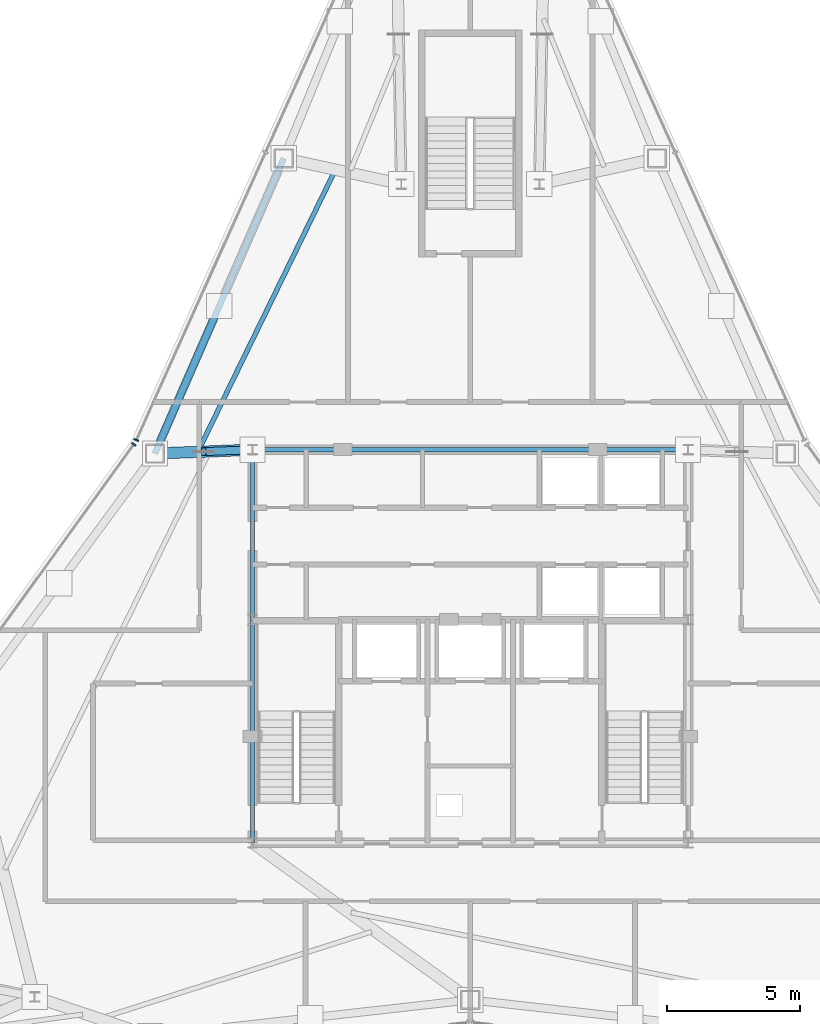
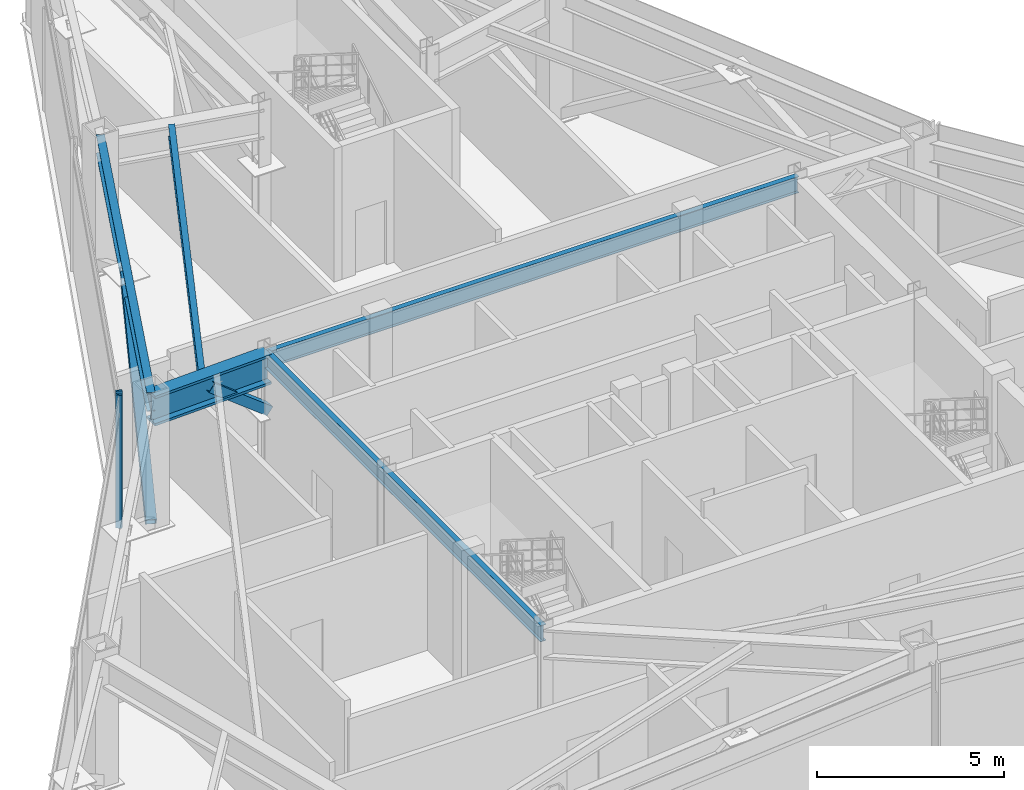
# One storey, part 5 of 12: 5 beams, 4 members, 2 elements without a shape of their own.
"""IFC4 building model written with IfcOpenShell, lengths in metres."""

import ifcopenshell
import ifcopenshell.guid

model = None  # the IFC model being written
_history = None  # IfcOwnerHistory: only IFC2X3 demands one
_inside = {}  # id of a spatial element -> (the spatial element, [elements in it])
_under = {}  # id of a project, library or spatial element -> (it, [spatial elements below it])
_declared = {}  # id of a project -> (the project, [libraries it declares])
_typed = {}  # id of a type object -> (the type object, [elements of that type])
_made_of = {}  # id of a material, layer set ... -> (it, [elements and type objects made of it])


def new_model(schema):
    """Start an empty IFC model of exactly this schema.

    Asked for "IFC4X3", IfcOpenShell would pick the latest addendum, in which some entities
    have other attributes; the version numbers below select the first issue.
    IFC2X3 requires an IfcOwnerHistory on every rooted entity: one is made here for all.
    """
    global model, _history
    if schema == "IFC4X3":
        model = ifcopenshell.file(schema_version=(4, 3, 0, 0))
    else:
        model = ifcopenshell.file(schema=schema)
    _inside.clear()
    _under.clear()
    _declared.clear()
    _typed.clear()
    _made_of.clear()
    _history = None
    if model.schema == "IFC2X3":
        org = make("IfcOrganization", Name="unknown")
        user = make(
            "IfcPersonAndOrganization",
            ThePerson=make("IfcPerson", FamilyName="unknown"),
            TheOrganization=org,
        )
        app = make(
            "IfcApplication",
            ApplicationDeveloper=org,
            Version="unknown",
            ApplicationFullName="unknown",
            ApplicationIdentifier="unknown",
        )
        _history = make(
            "IfcOwnerHistory",
            OwningUser=user,
            OwningApplication=app,
            ChangeAction="ADDED",
            CreationDate=0,
        )
    return model


def make(cls, **values):
    """One entity of the class cls with the attributes given. An attribute that is None is left unset."""
    return model.create_entity(
        cls, **{name: value for name, value in values.items() if value is not None}
    )


def rooted(cls, **values):
    """An entity with a GlobalId (a new one), such as an element, a storey or a relation."""
    return make(cls, GlobalId=ifcopenshell.guid.new(), OwnerHistory=_history, **values)


def si_unit(unit_type, name, prefix=None):
    """IfcSIUnit, for example si_unit("LENGTHUNIT", "METRE", prefix="MILLI")."""
    return make("IfcSIUnit", UnitType=unit_type, Prefix=prefix, Name=name)


def assignment(units):
    """IfcUnitAssignment: the units of a project."""
    return None if units is None else make("IfcUnitAssignment", Units=units)


def point(xyz):
    """IfcCartesianPoint."""
    return None if xyz is None else make("IfcCartesianPoint", Coordinates=xyz)


def direction(xyz):
    """IfcDirection."""
    return None if xyz is None else make("IfcDirection", DirectionRatios=xyz)


def frame(location, z_axis=None, x_axis=None):
    """IfcAxis2Placement3D, a coordinate frame: its origin and axes. An axis left out is left unset."""
    return make(
        "IfcAxis2Placement3D",
        Location=point(location),
        Axis=direction(z_axis),
        RefDirection=direction(x_axis),
    )


def frame_2d(location, x_axis=None):
    """IfcAxis2Placement2D, a coordinate frame in the plane: its origin and x axis."""
    return make(
        "IfcAxis2Placement2D", Location=point(location), RefDirection=direction(x_axis)
    )


def origin():
    """The frame at (0, 0, 0) with its axes left unset."""
    return frame((0.0, 0.0, 0.0))


def origin_2d():
    """The frame at (0, 0) in the plane with its x axis left unset."""
    return frame_2d((0.0, 0.0))


def place(relative_to, where):
    """IfcLocalPlacement: puts the frame where relative to a parent placement (None: the world)."""
    return make(
        "IfcLocalPlacement", PlacementRelTo=relative_to, RelativePlacement=where
    )


def context(
    kind, dimensions, precision=None, world=None, true_north=None, identifier=None
):
    """IfcGeometricRepresentationContext, for example the 3D "Model" context."""
    return make(
        "IfcGeometricRepresentationContext",
        ContextIdentifier=identifier,
        ContextType=kind,
        CoordinateSpaceDimension=dimensions,
        Precision=precision,
        WorldCoordinateSystem=world,
        TrueNorth=true_north,
    )


def subcontext(parent, identifier, kind, view, scale=None):
    """IfcGeometricRepresentationSubContext, for example "Body" below "Model"."""
    return make(
        "IfcGeometricRepresentationSubContext",
        ContextIdentifier=identifier,
        ContextType=kind,
        ParentContext=parent,
        TargetScale=scale,
        TargetView=view,
    )


def project(units=None, contexts=None):
    """IfcProject with its units and contexts."""
    return rooted(
        "IfcProject",
        Name="project",
        RepresentationContexts=contexts,
        UnitsInContext=assignment(units),
    )


def spatial(cls, under=None, at=None, **own):
    """A site, building, storey or space (cls), placed at a placement, below another one or the project."""
    s = rooted(cls, ObjectPlacement=at, **own)
    if under is not None:
        _under.setdefault(under.id(), (under, []))[1].append(s)
    return s


def profile(cls, at=None, kind="AREA", **sizes):
    """A parametric profile (cls). Its sizes go by their IFC names, for example OverallWidth=200.0."""
    return make(cls, ProfileType=kind, Position=at, **sizes)


def rectangle(**sizes):
    """IfcRectangleProfileDef."""
    return profile("IfcRectangleProfileDef", **sizes)


def hollow_rectangle(**sizes):
    """IfcRectangleHollowProfileDef."""
    return profile("IfcRectangleHollowProfileDef", **sizes)


def i_section(**sizes):
    """IfcIShapeProfileDef."""
    return profile("IfcIShapeProfileDef", **sizes)


def extrude(swept, where, along, depth):
    """IfcExtrudedAreaSolid: the profile swept, set in the frame where, extruded along a direction by depth."""
    return make(
        "IfcExtrudedAreaSolid",
        SweptArea=swept,
        Position=where,
        ExtrudedDirection=direction(along),
        Depth=depth,
    )


def shape(context_of_items, identifier, shape_type, items):
    """IfcShapeRepresentation: the items that make up one representation, for example the "Body"."""
    return make(
        "IfcShapeRepresentation",
        ContextOfItems=context_of_items,
        RepresentationIdentifier=identifier,
        RepresentationType=shape_type,
        Items=items,
    )


def source(mapping_origin, context_of_items, identifier, shape_type, items):
    """IfcRepresentationMap: a shape defined once, which mapped items show again and again."""
    return make(
        "IfcRepresentationMap",
        MappingOrigin=mapping_origin,
        MappedRepresentation=shape(context_of_items, identifier, shape_type, items),
    )


def transform(
    local_origin,
    x_axis=None,
    y_axis=None,
    z_axis=None,
    scale=None,
    scale2=None,
    scale3=None,
    uniform=True,
):
    """IfcCartesianTransformationOperator3D, or its non-uniform kind. x_axis, y_axis, z_axis: its Axis1, 2, 3."""
    if uniform:
        return make(
            "IfcCartesianTransformationOperator3D",
            Axis1=direction(x_axis),
            Axis2=direction(y_axis),
            LocalOrigin=point(local_origin),
            Scale=scale,
            Axis3=direction(z_axis),
        )
    return make(
        "IfcCartesianTransformationOperator3DnonUniform",
        Axis1=direction(x_axis),
        Axis2=direction(y_axis),
        LocalOrigin=point(local_origin),
        Scale=scale,
        Axis3=direction(z_axis),
        Scale2=scale2,
        Scale3=scale3,
    )


def mapped(mapping_source, mapping_target):
    """IfcMappedItem: shows the shape of a source again, moved by a transform."""
    return make(
        "IfcMappedItem", MappingSource=mapping_source, MappingTarget=mapping_target
    )


def material(Name=None, Category=None):
    """IfcMaterial."""
    return make("IfcMaterial", Name=Name, Category=Category)


def layer(
    of_material, thickness, ventilated=None, Name=None, Category=None, Priority=None
):
    """IfcMaterialLayer: one layer of a wall or slab, of a material (None: an air gap)."""
    return make(
        "IfcMaterialLayer",
        Material=of_material,
        LayerThickness=thickness,
        IsVentilated=ventilated,
        Name=Name,
        Category=Category,
        Priority=Priority,
    )


def layer_set(layers, Name=None):
    """IfcMaterialLayerSet."""
    return make("IfcMaterialLayerSet", MaterialLayers=layers, LayerSetName=Name)


def material_profile(
    of_material, cross_section, Name=None, Category=None, Priority=None
):
    """IfcMaterialProfile: a cross section and its material."""
    return make(
        "IfcMaterialProfile",
        Name=Name,
        Material=of_material,
        Profile=cross_section,
        Priority=Priority,
        Category=Category,
    )


def profile_set(profiles, Name=None, composite=None):
    """IfcMaterialProfileSet."""
    return make(
        "IfcMaterialProfileSet",
        Name=Name,
        MaterialProfiles=profiles,
        CompositeProfile=composite,
    )


def made_of(thing, what):
    """Note that an element or type object is made of a material, layer set ...; save() writes the relation."""
    if what is not None:
        _made_of.setdefault(what.id(), (what, []))[1].append(thing)
    return thing


def type_object(cls, material=None, **own):
    """A type object (cls), such as IfcWallType, which elements share."""
    return made_of(rooted(cls, **own), material)


def type_shapes(of_type, sources):
    """Give a type object the sources (RepresentationMaps) that its elements show as mapped items."""
    of_type.RepresentationMaps = sources


def element(
    cls,
    number,
    at=None,
    inside=None,
    cuts=None,
    type_object=None,
    material=None,
    context=None,
    identifier="Body",
    shape_type=None,
    held_by="IfcProductDefinitionShape",
    body=None,
    shapes=None,
    **own,
):
    """One element of the class cls, such as IfcWall. Its Tag is "e" and its number.

    at: its placement. inside: the storey or other place that contains it. cuts: it is an
    opening in that element (IfcRelVoidsElement). A single representation is given by context,
    identifier, shape_type and body (its items); several are given by shapes. held_by: the class
    of the entity that holds the representations. save() writes the other relations.
    """
    e = rooted(cls, Tag="e%d" % number, ObjectPlacement=at, **own)
    if body is not None:
        shapes = [shape(context, identifier, shape_type, body)]
    if shapes is not None:
        e.Representation = make(held_by, Representations=shapes)
    if inside is not None:
        _inside.setdefault(inside.id(), (inside, []))[1].append(e)
    if cuts is not None:
        rooted(
            "IfcRelVoidsElement", RelatingBuildingElement=cuts, RelatedOpeningElement=e
        )
    if type_object is not None:
        _typed.setdefault(type_object.id(), (type_object, []))[1].append(e)
    return made_of(e, material)


def aggregate(whole, parts):
    """IfcRelAggregates: a whole, such as a stair, and the parts it consists of."""
    return rooted("IfcRelAggregates", RelatingObject=whole, RelatedObjects=parts)


def save(model, path):
    """Write the relations noted so far, then the file.

    IfcRelAggregates (storeys below a building ...), IfcRelContainedInSpatialStructure (elements
    in a storey), IfcRelDefinesByType, IfcRelAssociatesMaterial and IfcRelDeclares: one each for
    every whole, place, type object, material and project.
    """
    for whole, parts in _under.values():
        aggregate(whole, parts)
    for where, things in _inside.values():
        rooted(
            "IfcRelContainedInSpatialStructure",
            RelatedElements=things,
            RelatingStructure=where,
        )
    for kind, things in _typed.values():
        rooted("IfcRelDefinesByType", RelatedObjects=things, RelatingType=kind)
    for what, things in _made_of.values():
        rooted("IfcRelAssociatesMaterial", RelatedObjects=things, RelatingMaterial=what)
    for by, libraries in _declared.values():
        rooted("IfcRelDeclares", RelatingContext=by, RelatedDefinitions=libraries)
    model.write(path)


model = new_model("IFC4")

# Units and contexts
model_context = context("Model", 3, precision=1e-05, world=origin(), true_north=direction((0.0, 1.0)))
body_context = subcontext(model_context, "Body", "Model", "MODEL_VIEW")
ifc_project = project(units=[si_unit("LENGTHUNIT", "METRE"), si_unit("AREAUNIT", "SQUARE_METRE"), si_unit("VOLUMEUNIT", "CUBIC_METRE"), si_unit("PLANEANGLEUNIT", "RADIAN"), si_unit("MASSUNIT", "GRAM", prefix="KILO")], contexts=[model_context])

# Site, building, storey
site_placement = place(None, origin())
site = spatial("IfcSite", under=ifc_project, at=site_placement, CompositionType="ELEMENT")
building_placement = place(site_placement, origin())
building = spatial("IfcBuilding", under=site, at=building_placement, Name="Varakhsha Concourse Tower", CompositionType="ELEMENT")
storey_placement = place(building_placement, frame((0.0, 0.0, 250.39990234375)))
storey = spatial("IfcBuildingStorey", under=building, at=storey_placement, Name="L71", CompositionType="ELEMENT", Elevation=250.39990234375)

# Beams
ifc_material_1 = material(Name="Structural Steel ASTM A992 Grade 50", Category="steel")
ifc_material_profile_1 = material_profile(ifc_material_1, i_section(OverallWidth=0.177978515625, OverallDepth=0.406982421875, WebThickness=0.008056640625, FlangeThickness=0.012939453125, at=origin_2d()), Name="W16X40")
ifc_profile_set_1 = profile_set([ifc_material_profile_1], Name="Structural Steel ASTM A992 Grade 50")
beam_type_1 = type_object("IfcBeamType", Name="BM-JST-W16X40", PredefinedType="JOIST", material=ifc_profile_set_1)
beam_1_placement = place(storey_placement, frame((34.875, 41.643798828125, 4.146484375), z_axis=(-0.438334888597, -0.898811729696, 0.0), x_axis=(0.898811729696, -0.438334888597, 0.0)))
element("IfcBeam", 1, at=beam_1_placement, inside=storey, type_object=beam_type_1, Name="BM-TJST-L71-04", PredefinedType="JOIST", context=body_context, shape_type="SweptSolid", body=[
    extrude(i_section(OverallWidth=0.177978515625, OverallDepth=0.406982421875, WebThickness=0.008056640625, FlangeThickness=0.012939453125, at=origin_2d()), origin(), (0.0, 0.0, 1.0), 11.599609375),
])
ifc_material_profile_2 = material_profile(ifc_material_1, i_section(OverallWidth=0.1669921875, OverallDepth=0.534912109375, WebThickness=0.010009765625, FlangeThickness=0.01708984375, at=origin_2d()), Name="W21X57")
ifc_profile_set_2 = profile_set([ifc_material_profile_2], Name="Structural Steel ASTM A992 Grade 50")
beam_type_2 = type_object("IfcBeamType", Name="BM-RAD-W21X57", PredefinedType="BEAM", material=ifc_profile_set_2)
beam_2_placement = place(storey_placement, frame((31.800048828125, 31.199951171875, 4.08251953125), z_axis=(1.0, 0.0, 0.0), x_axis=(0.0, 1.0, 0.0)))
element("IfcBeam", 2, at=beam_2_placement, inside=storey, type_object=beam_type_2, Name="BM-TCORE-L71-CN", PredefinedType="BEAM", context=body_context, shape_type="SweptSolid", body=[
    extrude(i_section(OverallWidth=0.1669921875, OverallDepth=0.534912109375, WebThickness=0.010009765625, FlangeThickness=0.01708984375, at=origin_2d()), origin(), (0.0, 0.0, 1.0), 16.39990234375),
])
beam_3_placement = place(storey_placement, frame((31.800048828125, 16.39990234375, 4.08251953125), z_axis=(0.0, 1.0, 0.0), x_axis=(-1.0, 0.0, 0.0)))
element("IfcBeam", 3, at=beam_3_placement, inside=storey, type_object=beam_type_2, Name="BM-TCORE-L71-CW", PredefinedType="BEAM", context=body_context, shape_type="SweptSolid", body=[
    extrude(i_section(OverallWidth=0.1669921875, OverallDepth=0.534912109375, WebThickness=0.010009765625, FlangeThickness=0.01708984375, at=origin_2d()), origin(), (0.0, 0.0, 1.0), 14.800048828125),
])
ifc_material_profile_3 = material_profile(ifc_material_1, i_section(OverallWidth=0.22900390625, OverallDepth=0.612060546875, WebThickness=0.011962890625, FlangeThickness=0.02001953125, at=origin_2d()), Name="W24X84")
ifc_profile_set_3 = profile_set([ifc_material_profile_3], Name="Structural Steel ASTM A992 Grade 50")
beam_type_3 = type_object("IfcBeamType", Name="BM-SPAN-W24X84", PredefinedType="SPANDREL", material=ifc_profile_set_3)
beam_4_placement = place(storey_placement, frame((32.977294921875, 42.168701171875, 4.044189453125), z_axis=(-0.400099437724, -0.916471734388, 0.0), x_axis=(0.916471734388, -0.400099437724, 0.0)))
element("IfcBeam", 4, at=beam_4_placement, inside=storey, type_object=beam_type_3, Name="BM-SPAN-L71-04", PredefinedType="SPANDREL", context=body_context, shape_type="SweptSolid", body=[
    extrude(i_section(OverallWidth=0.22900390625, OverallDepth=0.612060546875, WebThickness=0.011962890625, FlangeThickness=0.02001953125, at=origin_2d()), origin(), (0.0, 0.0, 1.0), 12.1259765625),
])
ifc_material_profile_4 = material_profile(ifc_material_1, i_section(OverallWidth=0.427978515625, OverallDepth=0.97509765625, WebThickness=0.050048828125, FlangeThickness=0.0810546875, at=origin_2d()), Name="W36X395")
ifc_profile_set_4 = profile_set([ifc_material_profile_4], Name="Structural Steel ASTM A992 Grade 50")
beam_type_4 = type_object("IfcBeamType", Name="BM-XFER-W36X395", PredefinedType="USERDEFINED", material=ifc_profile_set_4)
beam_5_placement = place(storey_placement, frame((31.800048828125, 31.199951171875, 3.862548828125), z_axis=(-0.999229859365, -0.039238860258, 0.0), x_axis=(0.039238860258, -0.999229859365, 0.0)))
element("IfcBeam", 5, at=beam_5_placement, inside=storey, type_object=beam_type_4, Name="L71 Outrigger Top Chord 05", ObjectType="GIRDER", PredefinedType="USERDEFINED", context=body_context, shape_type="SweptSolid", body=[
    extrude(i_section(OverallWidth=0.427978515625, OverallDepth=0.97509765625, WebThickness=0.050048828125, FlangeThickness=0.0810546875, at=origin_2d()), origin(), (0.0, 0.0, 1.0), 3.67724609375),
])

# Members
ifc_material_2 = material(Name="Structural Steel ASTM A500 Grade C", Category="steel")
ifc_material_profile_5 = material_profile(ifc_material_2, hollow_rectangle(XDim=0.300048828125, YDim=0.300048828125, WallThickness=0.013916015625, at=origin_2d()), Name="HSS 300x300x14")
ifc_profile_set_5 = profile_set([ifc_material_profile_5], Name="Structural Steel ASTM A500 Grade C")
member_type_1 = type_object("IfcMemberType", Name="MB-BELT-HSS300", PredefinedType="BRACE", material=ifc_profile_set_5)
shared_shape_1 = source(origin(), body_context, "Body", "SweptSolid", [
    extrude(hollow_rectangle(XDim=0.300048828125, YDim=0.300048828125, WallThickness=0.013916015625, at=origin_2d()), origin(), (0.0, 0.0, 1.0), 7.225341796875),
])
type_shapes(member_type_1, [shared_shape_1])
member_1_placement = place(storey_placement, frame((28.125732421875, 31.0556640625, 0.1201171875), z_axis=(0.335734096828, 0.76905274193, 0.543912213833), x_axis=(-0.916474957314, 0.400092055179, 0.0)))
element("IfcMember", 6, at=member_1_placement, inside=storey, type_object=member_type_1, Name="L71 Belt Truss Chevron 04B", PredefinedType="BRACE", context=body_context, shape_type="MappedRepresentation", body=[
    mapped(shared_shape_1, transform((0.0, 0.0, 0.0), scale=1.0)),
])
ifc_material_profile_6 = material_profile(ifc_material_2, hollow_rectangle(XDim=0.300048828125, YDim=0.300048828125, WallThickness=0.013916015625, at=origin_2d()), Name="HSS 300x300x14")
ifc_profile_set_6 = profile_set([ifc_material_profile_6], Name="Structural Steel ASTM A500 Grade C")
member_type_2 = type_object("IfcMemberType", Name="MB-OUTR-HSS300", PredefinedType="STRUT", material=ifc_profile_set_6)
shared_shape_2 = source(origin(), body_context, "Body", "SweptSolid", [
    extrude(hollow_rectangle(XDim=0.300048828125, YDim=0.300048828125, WallThickness=0.013916015625, at=origin_2d()), origin(), (0.0, 0.0, 1.0), 2.341552734375),
])
type_shapes(member_type_2, [shared_shape_2])
member_2_placement = place(storey_placement, frame((31.800048828125, 31.199951171875, 2.4501953125), z_axis=(-0.784599609472, -0.030862655735, 0.619234163542), x_axis=(0.039305151783, -0.999227253953, 0.0)))
element("IfcMember", 7, at=member_2_placement, inside=storey, type_object=member_type_2, Name="L71 Outrigger Truss Strut 03", PredefinedType="STRUT", context=body_context, shape_type="MappedRepresentation", body=[
    mapped(shared_shape_2, transform((0.0, 0.0, 0.0), scale=1.0)),
])

# Curtain wall, member
ifc_material_3 = material(Name="Anodised Bronze Architectural Aluminium AA 6063-T6", Category="aluminium")
ifc_layer = layer(ifc_material_3, 0.260009765625, Name="CW-SYS-06")
ifc_layer_set = layer_set([ifc_layer], Name="Anodised Bronze Architectural Aluminium AA 6063-T6")
curtain_wall_type = type_object("IfcCurtainWallType", Name="CW-SYS-06", PredefinedType="NOTDEFINED", material=ifc_layer_set)
curtain_wall_1_placement = place(storey_placement, origin())
curtain_wall_1 = element("IfcCurtainWall", 8, at=curtain_wall_1_placement, inside=storey, type_object=curtain_wall_type, Name="L71 Crystal Curtain Wall F2", PredefinedType="NOTDEFINED")
ifc_material_profile_7 = material_profile(ifc_material_3, rectangle(XDim=0.06494140625, YDim=0.179931640625, at=origin_2d()), Name="CWM-180X65")
ifc_profile_set_7 = profile_set([ifc_material_profile_7], Name="Anodised Bronze Architectural Aluminium AA 6063-T6")
member_type_3 = type_object("IfcMemberType", Name="CWM-180X65", PredefinedType="MULLION", material=ifc_profile_set_7)
shared_shape_3 = source(origin(), body_context, "Body", "SweptSolid", [
    extrude(rectangle(XDim=0.06494140625, YDim=0.179931640625, at=origin_2d()), origin(), (0.0, 0.0, 1.0), 4.35009765625),
])
type_shapes(member_type_3, [shared_shape_3])
member_3_placement = place(storey_placement, frame((27.427978515625, 31.569091796875, 0.0), z_axis=(0.0, 0.0, 1.0), x_axis=(0.409661937266, 0.912237412714, 0.0)))
member_3 = element("IfcMember", 9, at=member_3_placement, type_object=member_type_3, Name="CW-L71-F2 Mullion 00", PredefinedType="MULLION", context=body_context, shape_type="MappedRepresentation", body=[
    mapped(shared_shape_3, transform((0.0, 0.0, 0.0), scale=1.0)),
])
aggregate(curtain_wall_1, [member_3])

curtain_wall_2_placement = place(storey_placement, origin())
curtain_wall_2 = element("IfcCurtainWall", 10, at=curtain_wall_2_placement, inside=storey, type_object=curtain_wall_type, Name="L71 Crystal Curtain Wall F3", PredefinedType="NOTDEFINED")
member_4_placement = place(storey_placement, frame((27.332275390625, 31.403076171875, 0.0), z_axis=(0.0, 0.0, 1.0), x_axis=(0.585186974494, 0.810898393686, 0.0)))
member_4 = element("IfcMember", 11, at=member_4_placement, type_object=member_type_3, Name="CW-L71-F3 Mullion 02", PredefinedType="MULLION", context=body_context, shape_type="MappedRepresentation", body=[
    mapped(shared_shape_3, transform((0.0, 0.0, 0.0), scale=1.0)),
])
aggregate(curtain_wall_2, [member_4])

save(model, "model.ifc")
